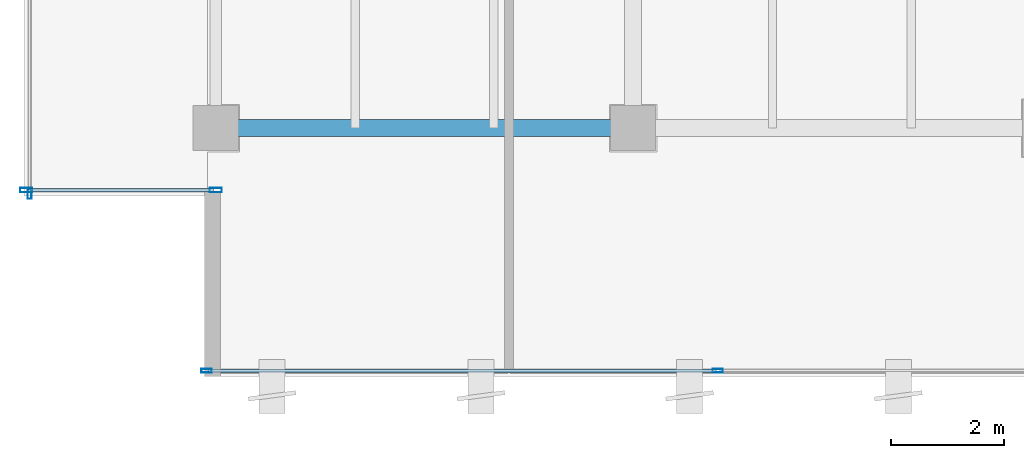
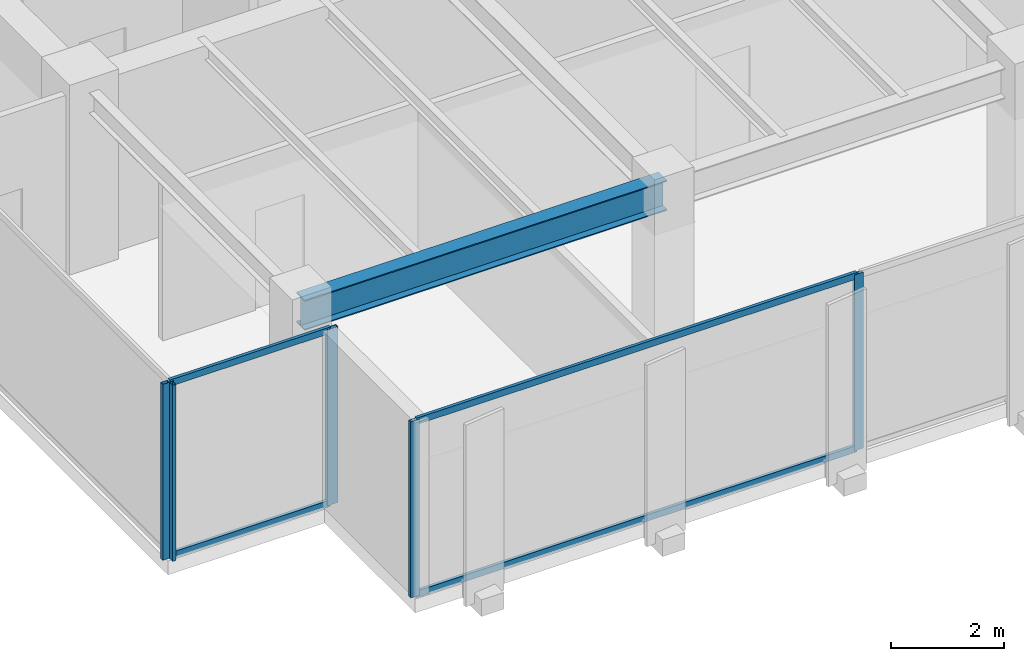
# One storey, part 5 of 36: 9 members, 1 beam, 3 elements without a shape of their own.
"""IFC4 building model written with IfcOpenShell, lengths in metres."""

from ifc_helpers import new_model, si_unit, direction, frame, origin, origin_2d, place, context, subcontext, project, spatial, hollow_rectangle, i_section, extrude, source, transform, mapped, material, layer, layer_set, material_profile, profile_set, type_object, type_shapes, element, aggregate, save


model = new_model("IFC4")

# Units and contexts
model_context = context("Model", 3, precision=1e-05, world=origin(), true_north=direction((0.0, 1.0)))
body_context = subcontext(model_context, "Body", "Model", "MODEL_VIEW")
ifc_project = project(units=[si_unit("LENGTHUNIT", "METRE"), si_unit("AREAUNIT", "SQUARE_METRE"), si_unit("VOLUMEUNIT", "CUBIC_METRE"), si_unit("PLANEANGLEUNIT", "RADIAN"), si_unit("MASSUNIT", "GRAM", prefix="KILO")], contexts=[model_context])

# Site, building, storey
site_placement = place(None, origin())
site = spatial("IfcSite", under=ifc_project, at=site_placement, CompositionType="ELEMENT")
building_placement = place(site_placement, origin())
building = spatial("IfcBuilding", under=site, at=building_placement, Name="Haelvirn Gate Laboratories", CompositionType="ELEMENT")
storey_placement = place(building_placement, frame((0.0, 0.0, 242.39990234375)))
storey = spatial("IfcBuildingStorey", under=building, at=storey_placement, Name="L58", CompositionType="ELEMENT", Elevation=242.39990234375)

# Beam
ifc_material_1 = material(Name="Steel SM355", Category="steel")
ifc_material_profile_1 = material_profile(ifc_material_1, i_section(OverallWidth=0.300048828125, OverallDepth=0.64990234375, WebThickness=0.012939453125, FlangeThickness=0.02197265625, at=origin_2d()), Name="H-650x300x13x22")
ifc_profile_set_1 = profile_set([ifc_material_profile_1], Name="Steel SM355")
beam_type = type_object("IfcBeamType", Name="BM-G-650", PredefinedType="BEAM", material=ifc_profile_set_1)
shared_shape_1 = source(origin(), body_context, "Body", "SweptSolid", [
    extrude(i_section(OverallWidth=0.300048828125, OverallDepth=0.64990234375, WebThickness=0.012939453125, FlangeThickness=0.02197265625, at=origin_2d()), origin(), (0.0, 0.0, 1.0), 7.400146484375),
])
type_shapes(beam_type, [shared_shape_1])
beam_placement = place(storey_placement, frame((7.39990234375, 7.0, 3.47509765625), z_axis=(1.0, 0.0, 0.0), x_axis=(0.0, 1.0, 0.0)))
element("IfcBeam", 1, at=beam_placement, inside=storey, type_object=beam_type, Name="L58 Primary Girder Y7.0 (7.4-14.8)", PredefinedType="BEAM", context=body_context, shape_type="MappedRepresentation", body=[
    mapped(shared_shape_1, transform((0.0, 0.0, 0.0), scale=1.0)),
])

# Curtain wall, members
ifc_material_2 = material(Name="Anodised bronze unitised aluminium & triple low-E glass", Category="aluminium")
ifc_layer_1 = layer(ifc_material_2, 0.181884765625, Name="CW-SYS-5")
ifc_layer_set_1 = layer_set([ifc_layer_1], Name="Anodised bronze unitised aluminium & triple low-E glass")
curtain_wall_type_1 = type_object("IfcCurtainWallType", Name="CW-SYS-5", PredefinedType="NOTDEFINED", material=ifc_layer_set_1)
curtain_wall_1_placement = place(storey_placement, origin())
curtain_wall_1 = element("IfcCurtainWall", 2, at=curtain_wall_1_placement, inside=storey, type_object=curtain_wall_type_1, Name="L58 Unitised Curtain Wall CW-L58-P0-E18-1", PredefinedType="NOTDEFINED")
ifc_material_3 = material(Name="Extruded aluminium 6063-T6 (anodised bronze)", Category="aluminium")
ifc_material_profile_2 = material_profile(ifc_material_3, hollow_rectangle(XDim=0.06494140625, YDim=0.139892578125, WallThickness=0.00390625, at=origin_2d()), Name="CWT-140x65x4")
ifc_profile_set_2 = profile_set([ifc_material_profile_2], Name="Extruded aluminium 6063-T6 (anodised bronze)")
member_type_1 = type_object("IfcMemberType", Name="CWT-T140", PredefinedType="USERDEFINED", material=ifc_profile_set_2)
shared_shape_2 = source(origin(), body_context, "Body", "SweptSolid", [
    extrude(hollow_rectangle(XDim=0.06494140625, YDim=0.139892578125, WallThickness=0.00390625, at=origin_2d()), origin(), (0.0, 0.0, 1.0), 3.280029296875),
])
member_1_placement = place(storey_placement, frame((4.080078125, 5.89990234375, 0.03271484375), z_axis=(1.0, 0.0, 0.0), x_axis=(0.0, 1.0, 0.0)))
member_1 = element("IfcMember", 3, at=member_1_placement, type_object=member_type_1, Name="CW5 transom 1.1", ObjectType="TRANSOM", PredefinedType="USERDEFINED", context=body_context, shape_type="MappedRepresentation", body=[
    mapped(shared_shape_2, transform((0.0, 0.0, 0.0), scale=1.0)),
])
member_2_placement = place(storey_placement, frame((4.080078125, 5.89990234375, 3.767578125), z_axis=(1.0, 0.0, 0.0), x_axis=(0.0, 1.0, 0.0)))
member_2 = element("IfcMember", 4, at=member_2_placement, type_object=member_type_1, Name="CW5 transom 1.2", ObjectType="TRANSOM", PredefinedType="USERDEFINED", context=body_context, shape_type="MappedRepresentation", body=[
    mapped(shared_shape_2, transform((0.0, 0.0, 0.0), scale=1.0)),
])

ifc_layer_2 = layer(ifc_material_2, 0.176025390625, Name="CW-SYS-4")
ifc_layer_set_2 = layer_set([ifc_layer_2], Name="Anodised bronze unitised aluminium & triple low-E glass")
curtain_wall_type_2 = type_object("IfcCurtainWallType", Name="CW-SYS-4", PredefinedType="NOTDEFINED", material=ifc_layer_set_2)
curtain_wall_2_placement = place(storey_placement, origin())
curtain_wall_2 = element("IfcCurtainWall", 5, at=curtain_wall_2_placement, inside=storey, type_object=curtain_wall_type_2, Name="L58 Unitised Curtain Wall CW-L58-P0-E00-1", PredefinedType="NOTDEFINED")
ifc_material_profile_3 = material_profile(ifc_material_3, hollow_rectangle(XDim=0.070068359375, YDim=0.179931640625, WallThickness=0.0048828125, at=origin_2d()), Name="CWM-180x70x5")
ifc_profile_set_3 = profile_set([ifc_material_profile_3], Name="Extruded aluminium 6063-T6 (anodised bronze)")
member_type_2 = type_object("IfcMemberType", Name="CWM-T180", PredefinedType="MULLION", material=ifc_profile_set_3)
shared_shape_3 = source(origin(), body_context, "Body", "SweptSolid", [
    extrude(hollow_rectangle(XDim=0.070068359375, YDim=0.179931640625, WallThickness=0.0048828125, at=origin_2d()), origin(), (0.0, 0.0, 1.0), 3.800048828125),
])
type_shapes(member_type_2, [shared_shape_3])
member_3_placement = place(storey_placement, frame((7.235107421875, 2.699951171875, 0.0), z_axis=(0.0, 0.0, 1.0), x_axis=(0.0, 1.0, 0.0)))
member_3 = element("IfcMember", 6, at=member_3_placement, type_object=member_type_2, Name="CW4 mullion 1", PredefinedType="MULLION", context=body_context, shape_type="MappedRepresentation", body=[
    mapped(shared_shape_3, transform((0.0, 0.0, 0.0), scale=1.0)),
])
member_4_placement = place(storey_placement, frame((16.300048828125, 2.699951171875, 0.0), z_axis=(0.0, 0.0, 1.0), x_axis=(0.0, 1.0, 0.0)))
member_4 = element("IfcMember", 7, at=member_4_placement, type_object=member_type_2, Name="CW4 mullion 2", PredefinedType="MULLION", context=body_context, shape_type="MappedRepresentation", body=[
    mapped(shared_shape_3, transform((0.0, 0.0, 0.0), scale=1.0)),
])

# Curtain wall, member
curtain_wall_3_placement = place(storey_placement, origin())
curtain_wall_3 = element("IfcCurtainWall", 8, at=curtain_wall_3_placement, inside=storey, type_object=curtain_wall_type_2, Name="L58 Unitised Curtain Wall CW-L58-P0-E17", PredefinedType="NOTDEFINED")
member_5_placement = place(storey_placement, frame((4.10009765625, 5.8349609375, 0.0), z_axis=(0.0, 0.0, 1.0), x_axis=(1.0, 0.0, 0.0)))
member_5 = element("IfcMember", 9, at=member_5_placement, type_object=member_type_2, Name="CW4 mullion 3", PredefinedType="MULLION", context=body_context, shape_type="MappedRepresentation", body=[
    mapped(shared_shape_3, transform((0.0, 0.0, 0.0), scale=1.0)),
])
aggregate(curtain_wall_3, [member_5])

# Member
shared_shape_4 = source(origin(), body_context, "Body", "SweptSolid", [
    extrude(hollow_rectangle(XDim=0.06494140625, YDim=0.139892578125, WallThickness=0.00390625, at=origin_2d()), origin(), (0.0, 0.0, 1.0), 8.994873046875),
])
type_shapes(member_type_1, [shared_shape_2, shared_shape_4])
member_6_placement = place(storey_placement, frame((7.27001953125, 2.699951171875, 0.03271484375), z_axis=(1.0, 0.0, 0.0), x_axis=(0.0, 1.0, 0.0)))
member_6 = element("IfcMember", 10, at=member_6_placement, type_object=member_type_1, Name="CW4 transom 1.1", ObjectType="TRANSOM", PredefinedType="USERDEFINED", context=body_context, shape_type="MappedRepresentation", body=[
    mapped(shared_shape_4, transform((0.0, 0.0, 0.0), scale=1.0)),
])

member_7_placement = place(storey_placement, frame((7.27001953125, 2.699951171875, 3.767578125), z_axis=(1.0, 0.0, 0.0), x_axis=(0.0, 1.0, 0.0)))
member_7 = element("IfcMember", 11, at=member_7_placement, type_object=member_type_1, Name="CW4 transom 1.2", ObjectType="TRANSOM", PredefinedType="USERDEFINED", context=body_context, shape_type="MappedRepresentation", body=[
    mapped(shared_shape_4, transform((0.0, 0.0, 0.0), scale=1.0)),
])

aggregate(curtain_wall_2, [member_3, member_4, member_6, member_7])

ifc_material_profile_4 = material_profile(ifc_material_3, hollow_rectangle(XDim=0.080078125, YDim=0.219970703125, WallThickness=0.006103515625, at=origin_2d()), Name="CWM-220x80x6")
ifc_profile_set_4 = profile_set([ifc_material_profile_4], Name="Extruded aluminium 6063-T6 (anodised bronze)")
member_type_3 = type_object("IfcMemberType", Name="CWM-T220", PredefinedType="MULLION", material=ifc_profile_set_4)
shared_shape_5 = source(origin(), body_context, "Body", "SweptSolid", [
    extrude(hollow_rectangle(XDim=0.080078125, YDim=0.219970703125, WallThickness=0.006103515625, at=origin_2d()), origin(), (0.0, 0.0, 1.0), 3.800048828125),
])
type_shapes(member_type_3, [shared_shape_5])
member_8_placement = place(storey_placement, frame((4.0400390625, 5.89990234375, 0.0), z_axis=(0.0, 0.0, 1.0), x_axis=(0.0, 1.0, 0.0)))
member_8 = element("IfcMember", 12, at=member_8_placement, type_object=member_type_3, Name="CW5 mullion 1", PredefinedType="MULLION", context=body_context, shape_type="MappedRepresentation", body=[
    mapped(shared_shape_5, transform((0.0, 0.0, 0.0), scale=1.0)),
])

member_9_placement = place(storey_placement, frame((7.39990234375, 5.89990234375, 0.0), z_axis=(0.0, 0.0, 1.0), x_axis=(0.0, 1.0, 0.0)))
member_9 = element("IfcMember", 13, at=member_9_placement, type_object=member_type_3, Name="CW5 mullion 2", PredefinedType="MULLION", context=body_context, shape_type="MappedRepresentation", body=[
    mapped(shared_shape_5, transform((0.0, 0.0, 0.0), scale=1.0)),
])

aggregate(curtain_wall_1, [member_8, member_9, member_1, member_2])

save(model, "model.ifc")
